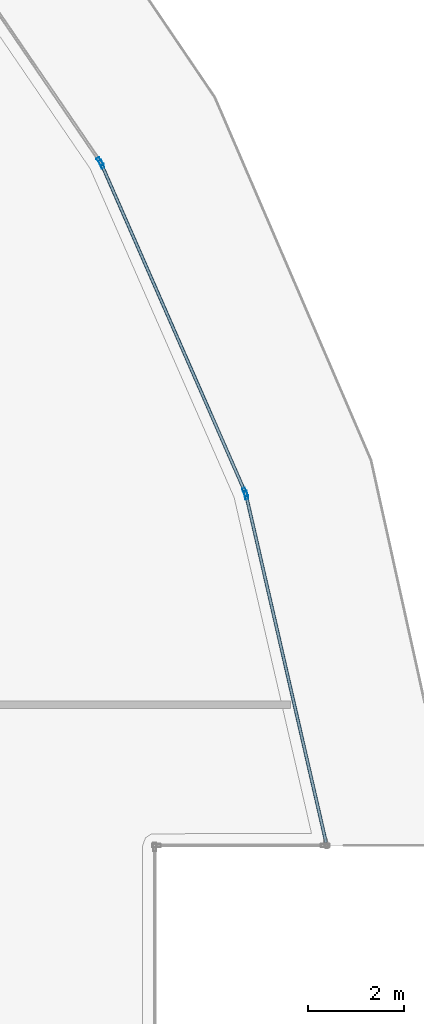
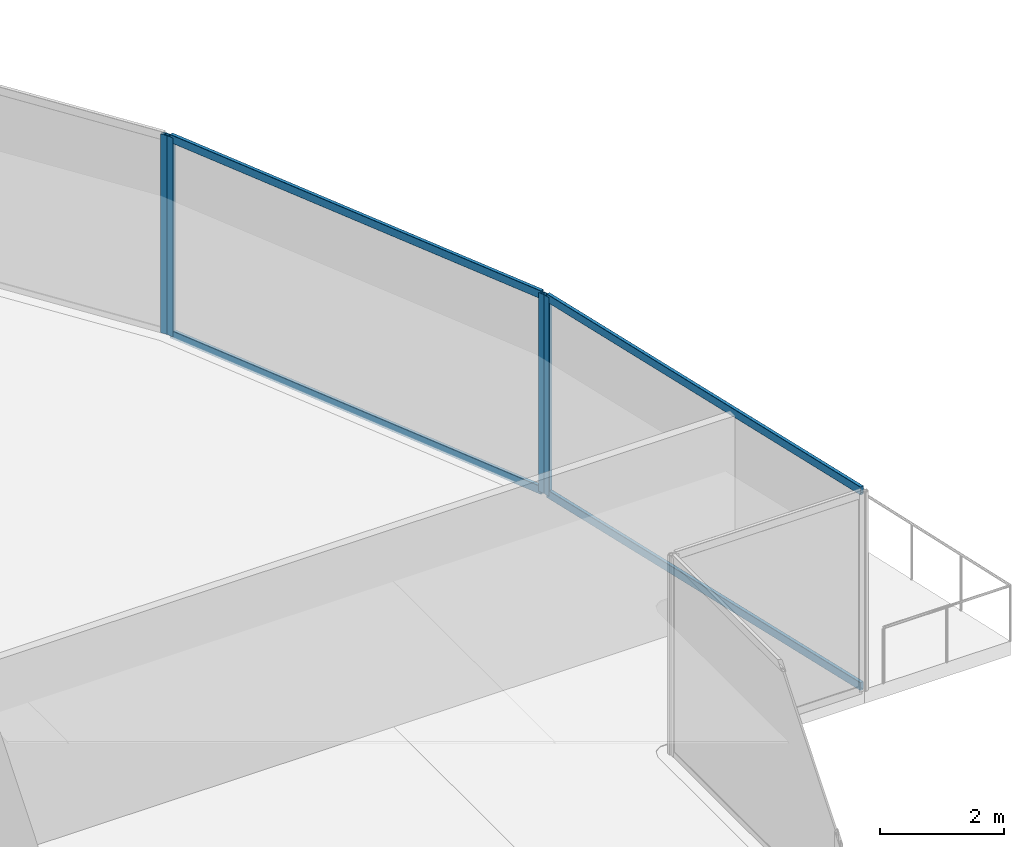
# One storey, part 25 of 43: 8 members, 3 elements without a shape of their own.
"""IFC4 building model written with IfcOpenShell, lengths in metres."""

import ifcopenshell
import ifcopenshell.guid

model = None  # the IFC model being written
_history = None  # IfcOwnerHistory: only IFC2X3 demands one
_inside = {}  # id of a spatial element -> (the spatial element, [elements in it])
_under = {}  # id of a project, library or spatial element -> (it, [spatial elements below it])
_declared = {}  # id of a project -> (the project, [libraries it declares])
_typed = {}  # id of a type object -> (the type object, [elements of that type])
_made_of = {}  # id of a material, layer set ... -> (it, [elements and type objects made of it])


def new_model(schema):
    """Start an empty IFC model of exactly this schema.

    Asked for "IFC4X3", IfcOpenShell would pick the latest addendum, in which some entities
    have other attributes; the version numbers below select the first issue.
    IFC2X3 requires an IfcOwnerHistory on every rooted entity: one is made here for all.
    """
    global model, _history
    if schema == "IFC4X3":
        model = ifcopenshell.file(schema_version=(4, 3, 0, 0))
    else:
        model = ifcopenshell.file(schema=schema)
    _inside.clear()
    _under.clear()
    _declared.clear()
    _typed.clear()
    _made_of.clear()
    _history = None
    if model.schema == "IFC2X3":
        org = make("IfcOrganization", Name="unknown")
        user = make(
            "IfcPersonAndOrganization",
            ThePerson=make("IfcPerson", FamilyName="unknown"),
            TheOrganization=org,
        )
        app = make(
            "IfcApplication",
            ApplicationDeveloper=org,
            Version="unknown",
            ApplicationFullName="unknown",
            ApplicationIdentifier="unknown",
        )
        _history = make(
            "IfcOwnerHistory",
            OwningUser=user,
            OwningApplication=app,
            ChangeAction="ADDED",
            CreationDate=0,
        )
    return model


def make(cls, **values):
    """One entity of the class cls with the attributes given. An attribute that is None is left unset."""
    return model.create_entity(
        cls, **{name: value for name, value in values.items() if value is not None}
    )


def rooted(cls, **values):
    """An entity with a GlobalId (a new one), such as an element, a storey or a relation."""
    return make(cls, GlobalId=ifcopenshell.guid.new(), OwnerHistory=_history, **values)


def si_unit(unit_type, name, prefix=None):
    """IfcSIUnit, for example si_unit("LENGTHUNIT", "METRE", prefix="MILLI")."""
    return make("IfcSIUnit", UnitType=unit_type, Prefix=prefix, Name=name)


def assignment(units):
    """IfcUnitAssignment: the units of a project."""
    return None if units is None else make("IfcUnitAssignment", Units=units)


def point(xyz):
    """IfcCartesianPoint."""
    return None if xyz is None else make("IfcCartesianPoint", Coordinates=xyz)


def direction(xyz):
    """IfcDirection."""
    return None if xyz is None else make("IfcDirection", DirectionRatios=xyz)


def frame(location, z_axis=None, x_axis=None):
    """IfcAxis2Placement3D, a coordinate frame: its origin and axes. An axis left out is left unset."""
    return make(
        "IfcAxis2Placement3D",
        Location=point(location),
        Axis=direction(z_axis),
        RefDirection=direction(x_axis),
    )


def frame_2d(location, x_axis=None):
    """IfcAxis2Placement2D, a coordinate frame in the plane: its origin and x axis."""
    return make(
        "IfcAxis2Placement2D", Location=point(location), RefDirection=direction(x_axis)
    )


def origin():
    """The frame at (0, 0, 0) with its axes left unset."""
    return frame((0.0, 0.0, 0.0))


def origin_2d():
    """The frame at (0, 0) in the plane with its x axis left unset."""
    return frame_2d((0.0, 0.0))


def place(relative_to, where):
    """IfcLocalPlacement: puts the frame where relative to a parent placement (None: the world)."""
    return make(
        "IfcLocalPlacement", PlacementRelTo=relative_to, RelativePlacement=where
    )


def context(
    kind, dimensions, precision=None, world=None, true_north=None, identifier=None
):
    """IfcGeometricRepresentationContext, for example the 3D "Model" context."""
    return make(
        "IfcGeometricRepresentationContext",
        ContextIdentifier=identifier,
        ContextType=kind,
        CoordinateSpaceDimension=dimensions,
        Precision=precision,
        WorldCoordinateSystem=world,
        TrueNorth=true_north,
    )


def subcontext(parent, identifier, kind, view, scale=None):
    """IfcGeometricRepresentationSubContext, for example "Body" below "Model"."""
    return make(
        "IfcGeometricRepresentationSubContext",
        ContextIdentifier=identifier,
        ContextType=kind,
        ParentContext=parent,
        TargetScale=scale,
        TargetView=view,
    )


def project(units=None, contexts=None):
    """IfcProject with its units and contexts."""
    return rooted(
        "IfcProject",
        Name="project",
        RepresentationContexts=contexts,
        UnitsInContext=assignment(units),
    )


def spatial(cls, under=None, at=None, **own):
    """A site, building, storey or space (cls), placed at a placement, below another one or the project."""
    s = rooted(cls, ObjectPlacement=at, **own)
    if under is not None:
        _under.setdefault(under.id(), (under, []))[1].append(s)
    return s


def profile(cls, at=None, kind="AREA", **sizes):
    """A parametric profile (cls). Its sizes go by their IFC names, for example OverallWidth=200.0."""
    return make(cls, ProfileType=kind, Position=at, **sizes)


def hollow_rectangle(**sizes):
    """IfcRectangleHollowProfileDef."""
    return profile("IfcRectangleHollowProfileDef", **sizes)


def extrude(swept, where, along, depth):
    """IfcExtrudedAreaSolid: the profile swept, set in the frame where, extruded along a direction by depth."""
    return make(
        "IfcExtrudedAreaSolid",
        SweptArea=swept,
        Position=where,
        ExtrudedDirection=direction(along),
        Depth=depth,
    )


def shape(context_of_items, identifier, shape_type, items):
    """IfcShapeRepresentation: the items that make up one representation, for example the "Body"."""
    return make(
        "IfcShapeRepresentation",
        ContextOfItems=context_of_items,
        RepresentationIdentifier=identifier,
        RepresentationType=shape_type,
        Items=items,
    )


def material(Name=None, Category=None):
    """IfcMaterial."""
    return make("IfcMaterial", Name=Name, Category=Category)


def layer(
    of_material, thickness, ventilated=None, Name=None, Category=None, Priority=None
):
    """IfcMaterialLayer: one layer of a wall or slab, of a material (None: an air gap)."""
    return make(
        "IfcMaterialLayer",
        Material=of_material,
        LayerThickness=thickness,
        IsVentilated=ventilated,
        Name=Name,
        Category=Category,
        Priority=Priority,
    )


def layer_set(layers, Name=None):
    """IfcMaterialLayerSet."""
    return make("IfcMaterialLayerSet", MaterialLayers=layers, LayerSetName=Name)


def material_profile(
    of_material, cross_section, Name=None, Category=None, Priority=None
):
    """IfcMaterialProfile: a cross section and its material."""
    return make(
        "IfcMaterialProfile",
        Name=Name,
        Material=of_material,
        Profile=cross_section,
        Priority=Priority,
        Category=Category,
    )


def profile_set(profiles, Name=None, composite=None):
    """IfcMaterialProfileSet."""
    return make(
        "IfcMaterialProfileSet",
        Name=Name,
        MaterialProfiles=profiles,
        CompositeProfile=composite,
    )


def made_of(thing, what):
    """Note that an element or type object is made of a material, layer set ...; save() writes the relation."""
    if what is not None:
        _made_of.setdefault(what.id(), (what, []))[1].append(thing)
    return thing


def type_object(cls, material=None, **own):
    """A type object (cls), such as IfcWallType, which elements share."""
    return made_of(rooted(cls, **own), material)


def element(
    cls,
    number,
    at=None,
    inside=None,
    cuts=None,
    type_object=None,
    material=None,
    context=None,
    identifier="Body",
    shape_type=None,
    held_by="IfcProductDefinitionShape",
    body=None,
    shapes=None,
    **own,
):
    """One element of the class cls, such as IfcWall. Its Tag is "e" and its number.

    at: its placement. inside: the storey or other place that contains it. cuts: it is an
    opening in that element (IfcRelVoidsElement). A single representation is given by context,
    identifier, shape_type and body (its items); several are given by shapes. held_by: the class
    of the entity that holds the representations. save() writes the other relations.
    """
    e = rooted(cls, Tag="e%d" % number, ObjectPlacement=at, **own)
    if body is not None:
        shapes = [shape(context, identifier, shape_type, body)]
    if shapes is not None:
        e.Representation = make(held_by, Representations=shapes)
    if inside is not None:
        _inside.setdefault(inside.id(), (inside, []))[1].append(e)
    if cuts is not None:
        rooted(
            "IfcRelVoidsElement", RelatingBuildingElement=cuts, RelatedOpeningElement=e
        )
    if type_object is not None:
        _typed.setdefault(type_object.id(), (type_object, []))[1].append(e)
    return made_of(e, material)


def aggregate(whole, parts):
    """IfcRelAggregates: a whole, such as a stair, and the parts it consists of."""
    return rooted("IfcRelAggregates", RelatingObject=whole, RelatedObjects=parts)


def save(model, path):
    """Write the relations noted so far, then the file.

    IfcRelAggregates (storeys below a building ...), IfcRelContainedInSpatialStructure (elements
    in a storey), IfcRelDefinesByType, IfcRelAssociatesMaterial and IfcRelDeclares: one each for
    every whole, place, type object, material and project.
    """
    for whole, parts in _under.values():
        aggregate(whole, parts)
    for where, things in _inside.values():
        rooted(
            "IfcRelContainedInSpatialStructure",
            RelatedElements=things,
            RelatingStructure=where,
        )
    for kind, things in _typed.values():
        rooted("IfcRelDefinesByType", RelatedObjects=things, RelatingType=kind)
    for what, things in _made_of.values():
        rooted("IfcRelAssociatesMaterial", RelatedObjects=things, RelatingMaterial=what)
    for by, libraries in _declared.values():
        rooted("IfcRelDeclares", RelatingContext=by, RelatedDefinitions=libraries)
    model.write(path)


model = new_model("IFC4")

# Units and contexts
model_context = context("Model", 3, precision=1e-05, world=origin(), true_north=direction((0.0, 1.0)))
body_context = subcontext(model_context, "Body", "Model", "MODEL_VIEW")
ifc_project = project(units=[si_unit("LENGTHUNIT", "METRE"), si_unit("AREAUNIT", "SQUARE_METRE"), si_unit("VOLUMEUNIT", "CUBIC_METRE"), si_unit("PLANEANGLEUNIT", "RADIAN"), si_unit("MASSUNIT", "GRAM", prefix="KILO")], contexts=[model_context])

# Site, building, storey
site_placement = place(None, origin())
site = spatial("IfcSite", under=ifc_project, at=site_placement, CompositionType="ELEMENT")
building_placement = place(site_placement, origin())
building = spatial("IfcBuilding", under=site, at=building_placement, Name="Qorvath Tower", CompositionType="ELEMENT")
storey_placement = place(building_placement, frame((0.0, 0.0, 36.60009765625)))
storey = spatial("IfcBuildingStorey", under=building, at=storey_placement, Name="L07", CompositionType="ELEMENT", Elevation=36.60009765625)

# Curtain wall, member
ifc_material_1 = material(Name="Anodised aluminium and triple low-E glass", Category="aluminium")
ifc_layer = layer(ifc_material_1, 0.179931640625)
ifc_layer_set = layer_set([ifc_layer], Name="CW-SYS-2")
curtain_wall_type = type_object("IfcCurtainWallType", Name="CW-SYS-2", PredefinedType="NOTDEFINED", material=ifc_layer_set)
curtain_wall_1_placement = place(storey_placement, origin())
curtain_wall_1 = element("IfcCurtainWall", 1, at=curtain_wall_1_placement, inside=storey, type_object=curtain_wall_type, Name="Curtain Wall CW-2 CW-T-L07-11.1", PredefinedType="NOTDEFINED")
ifc_material_2 = material(Name="Anodised aluminium 6063-T6", Category="aluminium")
ifc_material_profile_1 = material_profile(ifc_material_2, hollow_rectangle(XDim=0.06494140625, YDim=0.179931640625, WallThickness=0.00341796875, InnerFilletRadius=0.00341796875, OuterFilletRadius=0.007080078125, at=origin_2d()), Name="CWM 180x65")
ifc_profile_set_1 = profile_set([ifc_material_profile_1], Name="Anodised aluminium 6063-T6")
member_type_1 = type_object("IfcMemberType", Name="CWM-180", PredefinedType="MULLION", material=ifc_profile_set_1)
member_1_placement = place(storey_placement, frame((5.914306640625, 12.73828125, 0.0), z_axis=(0.0, 0.0, 1.0), x_axis=(-0.974480701691, -0.22447129445, 0.0)))
member_1 = element("IfcMember", 2, at=member_1_placement, type_object=member_type_1, Name="CW-2 mullion 2", PredefinedType="MULLION", context=body_context, shape_type="SweptSolid", body=[
    extrude(hollow_rectangle(XDim=0.06494140625, YDim=0.179931640625, WallThickness=0.00341796875, InnerFilletRadius=0.00341796875, OuterFilletRadius=0.007080078125, at=origin_2d()), origin(), (0.0, 0.0, 1.0), 3.919921875),
])

# Curtain wall, members
curtain_wall_2_placement = place(storey_placement, origin())
curtain_wall_2 = element("IfcCurtainWall", 3, at=curtain_wall_2_placement, inside=storey, type_object=curtain_wall_type, Name="Curtain Wall CW-2 CW-T-L07-12.1", PredefinedType="NOTDEFINED")
member_2_placement = place(storey_placement, frame((5.89404296875, 12.7998046875, 0.0), z_axis=(0.0, 0.0, 1.0), x_axis=(-0.91602619216, -0.401118455419, 0.0)))
member_2 = element("IfcMember", 4, at=member_2_placement, type_object=member_type_1, Name="CW-2 mullion 1", PredefinedType="MULLION", context=body_context, shape_type="SweptSolid", body=[
    extrude(hollow_rectangle(XDim=0.06494140625, YDim=0.179931640625, WallThickness=0.00341796875, InnerFilletRadius=0.00341796875, OuterFilletRadius=0.007080078125, at=origin_2d()), origin(), (0.0, 0.0, 1.0), 3.919921875),
])
member_3_placement = place(storey_placement, frame((2.88623046875, 19.668212890625, 0.0), z_axis=(0.0, 0.0, 1.0), x_axis=(-0.91602619216, -0.401118455419, 0.0)))
member_3 = element("IfcMember", 5, at=member_3_placement, type_object=member_type_1, Name="CW-2 mullion 2", PredefinedType="MULLION", context=body_context, shape_type="SweptSolid", body=[
    extrude(hollow_rectangle(XDim=0.06494140625, YDim=0.179931640625, WallThickness=0.00341796875, InnerFilletRadius=0.00341796875, OuterFilletRadius=0.007080078125, at=origin_2d()), origin(), (0.0, 0.0, 1.0), 3.919921875),
])

# Curtain wall, member
curtain_wall_3_placement = place(storey_placement, origin())
curtain_wall_3 = element("IfcCurtainWall", 6, at=curtain_wall_3_placement, inside=storey, type_object=curtain_wall_type, Name="Curtain Wall CW-2 CW-T-L07-13.1", PredefinedType="NOTDEFINED")
member_4_placement = place(storey_placement, frame((2.85498046875, 19.724853515625, 0.0), z_axis=(0.0, 0.0, 1.0), x_axis=(-0.825864059494, -0.563869271406, 0.0)))
member_4 = element("IfcMember", 7, at=member_4_placement, type_object=member_type_1, Name="CW-2 mullion 1", PredefinedType="MULLION", context=body_context, shape_type="SweptSolid", body=[
    extrude(hollow_rectangle(XDim=0.06494140625, YDim=0.179931640625, WallThickness=0.00341796875, InnerFilletRadius=0.00341796875, OuterFilletRadius=0.007080078125, at=origin_2d()), origin(), (0.0, 0.0, 1.0), 3.919921875),
])
aggregate(curtain_wall_3, [member_4])

# Member
ifc_material_3 = material(Name="Anodised aluminium 6063-T6", Category="aluminium")
ifc_material_profile_2 = material_profile(ifc_material_3, hollow_rectangle(XDim=0.06494140625, YDim=0.159912109375, WallThickness=0.00341796875, InnerFilletRadius=0.00341796875, OuterFilletRadius=0.007080078125, at=origin_2d()), Name="CWT 160x65")
ifc_profile_set_2 = profile_set([ifc_material_profile_2], Name="Anodised aluminium 6063-T6")
member_type_2 = type_object("IfcMemberType", Name="CWT-160", PredefinedType="USERDEFINED", material=ifc_profile_set_2)
member_5_placement = place(storey_placement, frame((7.590087890625, 5.463134765625, 0.032470703125), z_axis=(-0.22446368576, 0.974482454319, 0.0), x_axis=(-0.974482454319, -0.22446368576, 0.0)))
member_5 = element("IfcMember", 8, at=member_5_placement, type_object=member_type_2, Name="CW-2 transom 1.1", ObjectType="TRANSOM", PredefinedType="USERDEFINED", context=body_context, shape_type="SweptSolid", body=[
    extrude(hollow_rectangle(XDim=0.06494140625, YDim=0.159912109375, WallThickness=0.00341796875, InnerFilletRadius=0.00341796875, OuterFilletRadius=0.007080078125, at=origin_2d()), origin(), (0.0, 0.0, 1.0), 7.43310546875),
])

member_6_placement = place(storey_placement, frame((7.590087890625, 5.463134765625, 3.887451171875), z_axis=(-0.22446368576, 0.974482454319, 0.0), x_axis=(-0.974482454319, -0.22446368576, 0.0)))
member_6 = element("IfcMember", 9, at=member_6_placement, type_object=member_type_2, Name="CW-2 transom 1.2", ObjectType="TRANSOM", PredefinedType="USERDEFINED", context=body_context, shape_type="SweptSolid", body=[
    extrude(hollow_rectangle(XDim=0.06494140625, YDim=0.159912109375, WallThickness=0.00341796875, InnerFilletRadius=0.00341796875, OuterFilletRadius=0.007080078125, at=origin_2d()), origin(), (0.0, 0.0, 1.0), 7.43310546875),
])

aggregate(curtain_wall_1, [member_1, member_5, member_6])

member_7_placement = place(storey_placement, frame((5.880859375, 12.82958984375, 0.032470703125), z_axis=(-0.40111000853, 0.916029890919, 0.0), x_axis=(-0.916029890919, -0.40111000853, 0.0)))
member_7 = element("IfcMember", 10, at=member_7_placement, type_object=member_type_2, Name="CW-2 transom 1.1", ObjectType="TRANSOM", PredefinedType="USERDEFINED", context=body_context, shape_type="SweptSolid", body=[
    extrude(hollow_rectangle(XDim=0.06494140625, YDim=0.159912109375, WallThickness=0.00341796875, InnerFilletRadius=0.00341796875, OuterFilletRadius=0.007080078125, at=origin_2d()), origin(), (0.0, 0.0, 1.0), 7.43310546875),
])

member_8_placement = place(storey_placement, frame((5.880859375, 12.82958984375, 3.887451171875), z_axis=(-0.40111000853, 0.916029890919, 0.0), x_axis=(-0.916029890919, -0.40111000853, 0.0)))
member_8 = element("IfcMember", 11, at=member_8_placement, type_object=member_type_2, Name="CW-2 transom 1.2", ObjectType="TRANSOM", PredefinedType="USERDEFINED", context=body_context, shape_type="SweptSolid", body=[
    extrude(hollow_rectangle(XDim=0.06494140625, YDim=0.159912109375, WallThickness=0.00341796875, InnerFilletRadius=0.00341796875, OuterFilletRadius=0.007080078125, at=origin_2d()), origin(), (0.0, 0.0, 1.0), 7.43310546875),
])

aggregate(curtain_wall_2, [member_2, member_3, member_7, member_8])

save(model, "model.ifc")
